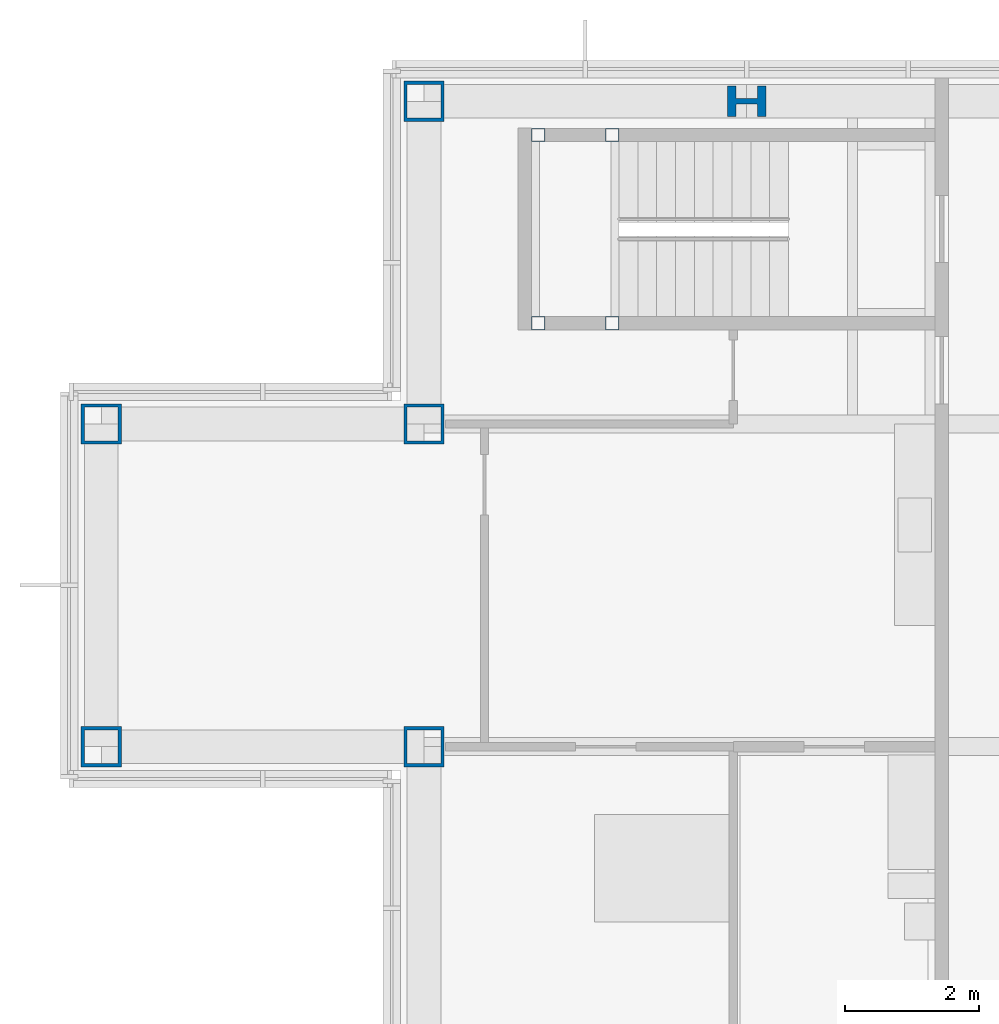
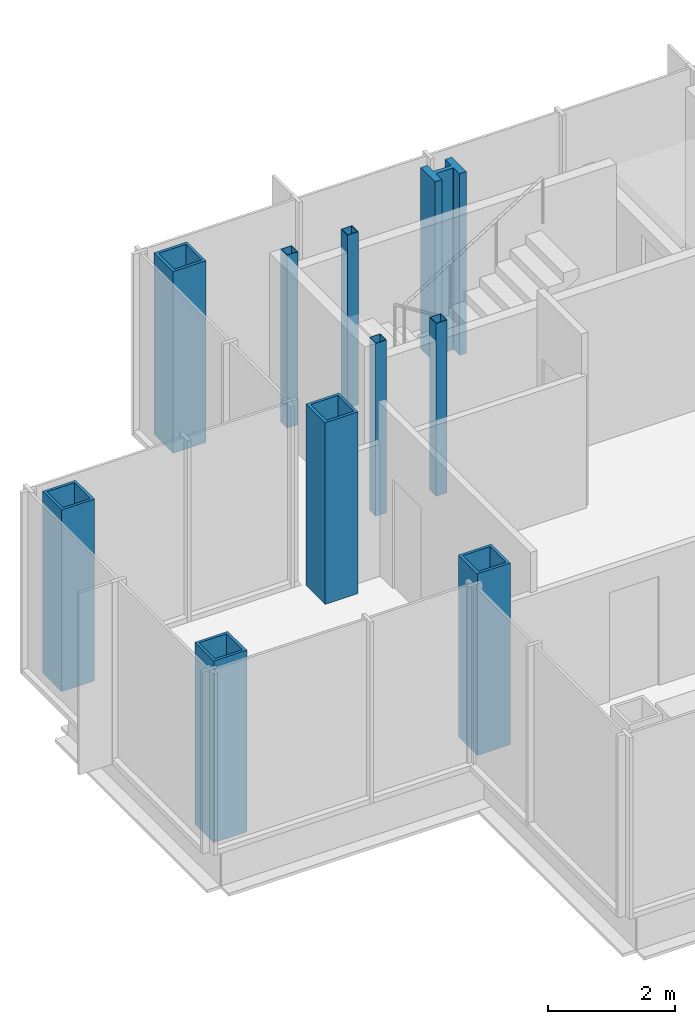
# One storey, part 3 of 15: 10 columns.
"""IFC4 building model written with IfcOpenShell, lengths in metres."""

from ifc_helpers import new_model, si_unit, direction, frame, origin, origin_2d, place, context, subcontext, project, spatial, hollow_rectangle, i_section, extrude, material, material_profile, profile_set, type_object, element, save


model = new_model("IFC4")

# Units and contexts
model_context = context("Model", 3, precision=1e-05, world=origin(), true_north=direction((0.0, 1.0)))
body_context = subcontext(model_context, "Body", "Model", "MODEL_VIEW")
ifc_project = project(units=[si_unit("LENGTHUNIT", "METRE"), si_unit("AREAUNIT", "SQUARE_METRE"), si_unit("VOLUMEUNIT", "CUBIC_METRE"), si_unit("PLANEANGLEUNIT", "RADIAN"), si_unit("MASSUNIT", "GRAM", prefix="KILO")], contexts=[model_context])

# Site, building, storey
site_placement = place(None, origin())
site = spatial("IfcSite", under=ifc_project, at=site_placement, CompositionType="ELEMENT")
building_placement = place(site_placement, origin())
building = spatial("IfcBuilding", under=site, at=building_placement, Name="Kvirike Care Tower", CompositionType="ELEMENT")
storey_placement = place(building_placement, frame((0.0, 0.0, 198.0)))
storey = spatial("IfcBuildingStorey", under=building, at=storey_placement, Name="L54", CompositionType="ELEMENT", Elevation=198.0)

# Columns
ifc_material_1 = material(Name="Steel S460", Category="steel")
ifc_material_profile_1 = material_profile(ifc_material_1, hollow_rectangle(XDim=0.60009765625, YDim=0.60009765625, WallThickness=0.050048828125, at=origin_2d()), Name="BX 600x600x50")
ifc_profile_set_1 = profile_set([ifc_material_profile_1], Name="Steel S460")
column_type_1 = type_object("IfcColumnType", Name="COLUMN BX 600x600x50", PredefinedType="COLUMN", material=ifc_profile_set_1)
for number, where, z_axis, x_axis, name in (
    (1, (0.0, 33.60009765625, 0.0), (0.0, 0.0, 1.0), (0.0, 1.0, 0.0), "Column H3 L54"),
    (2, (0.0, 38.39990234375, 0.0), (0.0, 0.0, 1.0), (0.0, 1.0, 0.0), "Column J3 L54"),
    (3, (4.800048828125, 33.60009765625, 0.0), (0.0, 0.0, 1.0), (0.0, 1.0, 0.0), "Column H4 L54"),
    (4, (4.800048828125, 38.39990234375, 0.0), (0.0, 0.0, 1.0), (0.0, 1.0, 0.0), "Column J4 L54"),
    (5, (4.800048828125, 43.199951171875, 0.0), (0.0, 0.0, 1.0), (0.0, 1.0, 0.0), "Column K4 L54"),
):
    element("IfcColumn", number, at=place(storey_placement, frame(where, z_axis=z_axis, x_axis=x_axis)), inside=storey, type_object=column_type_1, Name=name, PredefinedType="COLUMN", context=body_context, shape_type="SweptSolid", body=[
        extrude(hollow_rectangle(XDim=0.60009765625, YDim=0.60009765625, WallThickness=0.050048828125, at=origin_2d()), origin(), (0.0, 0.0, 1.0), 3.5),
    ])
ifc_material_2 = material(Name="Steel S460", Category="steel")
ifc_material_profile_2 = material_profile(ifc_material_2, i_section(OverallWidth=0.4541015625, OverallDepth=0.569091796875, WebThickness=0.077880859375, FlangeThickness=0.125, FilletRadius=0.014892578125, at=origin_2d()), Name="HD 400x1086")
ifc_profile_set_2 = profile_set([ifc_material_profile_2], Name="Steel S460")
column_type_2 = type_object("IfcColumnType", Name="COLUMN HD 400x1086", PredefinedType="COLUMN", material=ifc_profile_set_2)
column_placement = place(storey_placement, frame((9.60009765625, 43.199951171875, 0.0), z_axis=(0.0, 0.0, 1.0), x_axis=(0.0, 1.0, 0.0)))
element("IfcColumn", 6, at=column_placement, inside=storey, type_object=column_type_2, Name="Column K5 L54", PredefinedType="COLUMN", context=body_context, shape_type="SweptSolid", body=[
    extrude(i_section(OverallWidth=0.4541015625, OverallDepth=0.569091796875, WebThickness=0.077880859375, FlangeThickness=0.125, FilletRadius=0.014892578125, at=origin_2d()), origin(), (0.0, 0.0, 1.0), 3.5),
])
ifc_material_3 = material(Name="Steel S460", Category="steel")
ifc_material_profile_3 = material_profile(ifc_material_3, hollow_rectangle(XDim=0.199951171875, YDim=0.199951171875, WallThickness=0.008056640625, at=origin_2d()), Name="SHS 200x200x8")
ifc_profile_set_3 = profile_set([ifc_material_profile_3], Name="Steel S460")
column_type_3 = type_object("IfcColumnType", Name="STAIR POST SHS 200x200x8", PredefinedType="COLUMN", material=ifc_profile_set_3)
for number, where, z_axis, x_axis, name in (
    (7, (6.5, 42.699951171875, 0.0), (0.0, 0.0, 1.0), (1.0, 0.0, 0.0), "Stair 1 post 1 L54"),
    (8, (6.5, 39.89990234375, 0.0), (0.0, 0.0, 1.0), (1.0, 0.0, 0.0), "Stair 1 post 2 L54"),
    (9, (7.60009765625, 42.699951171875, 0.0), (0.0, 0.0, 1.0), (1.0, 0.0, 0.0), "Stair 1 post 3 L54"),
    (10, (7.60009765625, 39.89990234375, 0.0), (0.0, 0.0, 1.0), (1.0, 0.0, 0.0), "Stair 1 post 4 L54"),
):
    element("IfcColumn", number, at=place(storey_placement, frame(where, z_axis=z_axis, x_axis=x_axis)), inside=storey, type_object=column_type_3, Name=name, PredefinedType="COLUMN", context=body_context, shape_type="SweptSolid", body=[
        extrude(hollow_rectangle(XDim=0.199951171875, YDim=0.199951171875, WallThickness=0.008056640625, at=origin_2d()), origin(), (0.0, 0.0, 1.0), 3.330078125),
    ])

save(model, "model.ifc")
